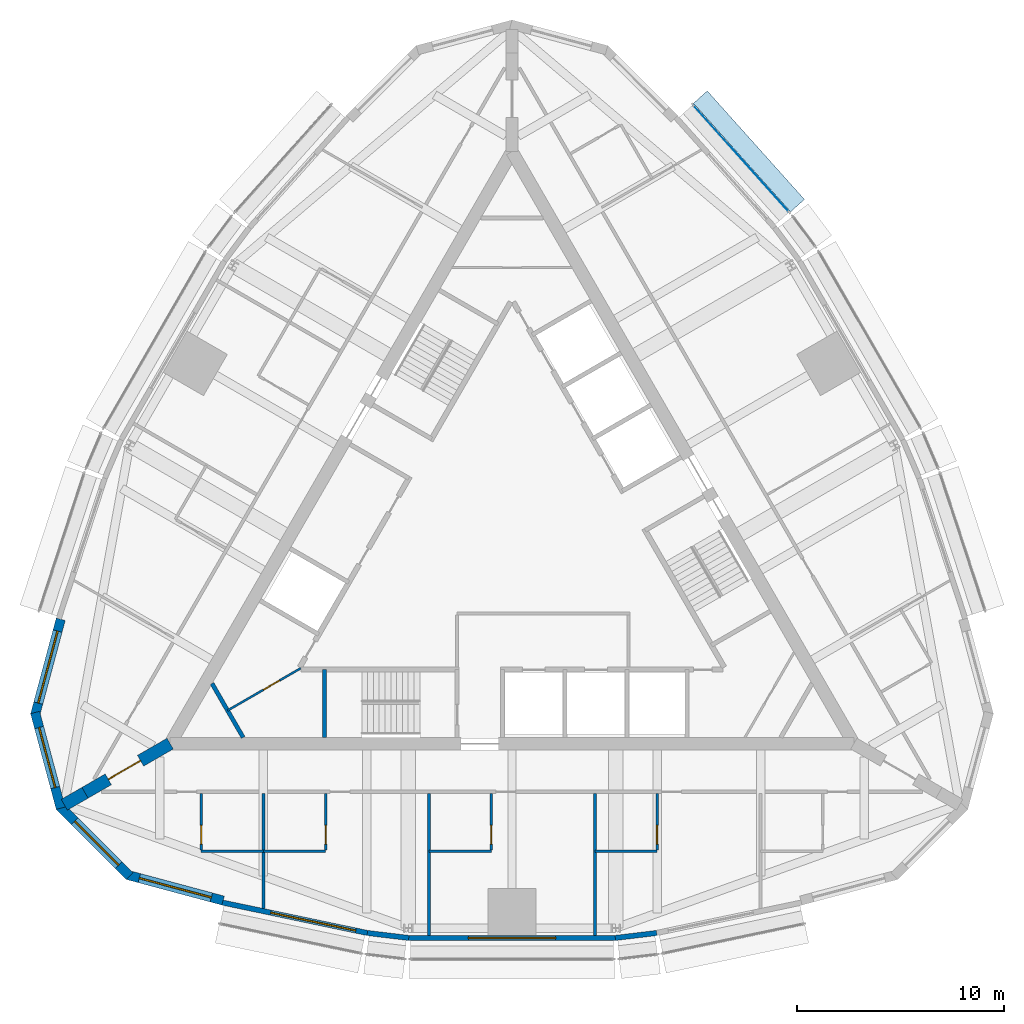
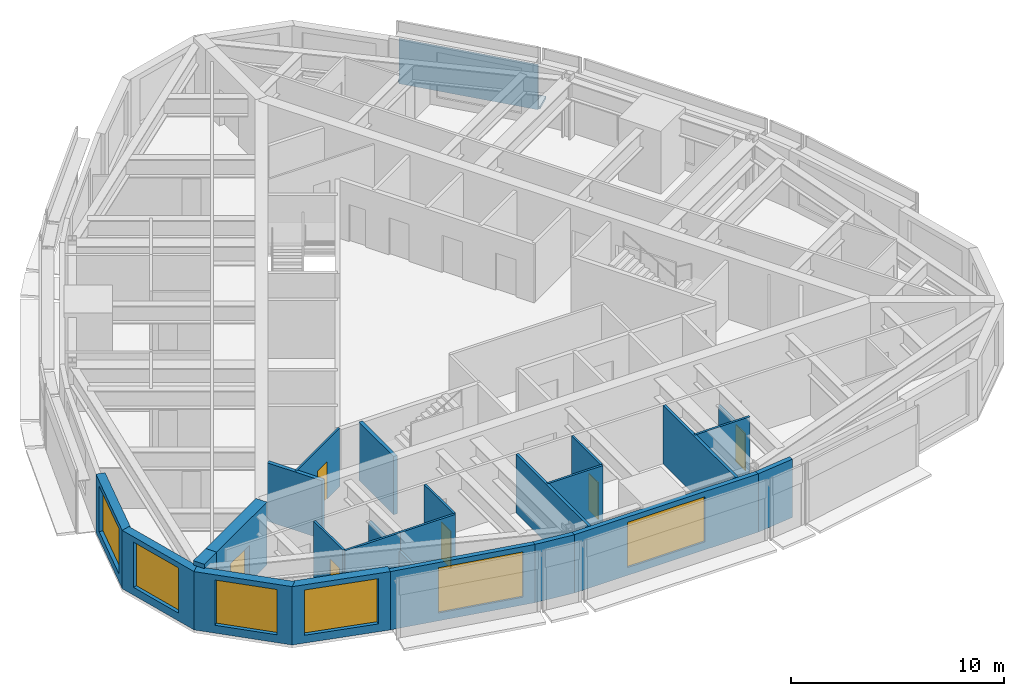
# One storey, part 7 of 12: 24 walls, 6 doors, 6 windows, 2 plates, 12 openings, 1 element without a shape of its own.
"""IFC4 building model written with IfcOpenShell, lengths in metres."""

from ifc_helpers import new_model, si_unit, direction, frame, frame_2d, origin, origin_2d, place, context, subcontext, project, spatial, polyline, rectangle, outline, extrude, material, layer, layer_set, type_object, element, fill, aggregate, save


model = new_model("IFC4")

# Units and contexts
model_context = context("Model", 3, precision=1e-05, world=origin(), true_north=direction((0.0, 1.0)))
body_context = subcontext(model_context, "Body", "Model", "MODEL_VIEW")
ifc_project = project(units=[si_unit("LENGTHUNIT", "METRE"), si_unit("AREAUNIT", "SQUARE_METRE"), si_unit("VOLUMEUNIT", "CUBIC_METRE"), si_unit("PLANEANGLEUNIT", "RADIAN"), si_unit("MASSUNIT", "GRAM", prefix="KILO")], contexts=[model_context])

# Site, building, storey
site_placement = place(None, origin())
site = spatial("IfcSite", under=ifc_project, at=site_placement, CompositionType="ELEMENT")
building_placement = place(site_placement, origin())
building = spatial("IfcBuilding", under=site, at=building_placement, Name="Trikona Tower", CompositionType="ELEMENT")
storey_placement = place(building_placement, frame((0.0, 0.0, 271.699951171875)))
storey = spatial("IfcBuildingStorey", under=building, at=storey_placement, Name="L72", CompositionType="ELEMENT", Elevation=271.699951171875)

# Curtain wall, plate
ifc_material_1 = material(Name="Aluminium curtain wall system", Category="aluminium")
curtain_wall_type = type_object("IfcCurtainWallType", Name="Curtain wall DS3S", PredefinedType="NOTDEFINED", material=ifc_material_1)
curtain_wall_placement = place(storey_placement, origin())
curtain_wall = element("IfcCurtainWall", 1, at=curtain_wall_placement, inside=storey, type_object=curtain_wall_type, Name="Curtain wall DS3S L72", PredefinedType="NOTDEFINED")
ifc_material_2 = material(Name="Laminated clear glass", Category="glass")
ifc_layer_1 = layer(ifc_material_2, 0.028076171875)
ifc_layer_set_1 = layer_set([ifc_layer_1], Name="Glass panel DS3S")
plate_type_1 = type_object("IfcPlateType", Name="Glass panel DS3S", PredefinedType="CURTAIN_PANEL", material=ifc_layer_set_1)
plate_1_placement = place(storey_placement, frame((11.056884765625, 18.7216796875, 0.0), z_axis=(0.0, 0.0, 1.0), x_axis=(-0.667319643748, 0.744771436797, 0.0)))
plate_1 = element("IfcPlate", 2, at=plate_1_placement, type_object=plate_type_1, Name="CW-DS3S panel 1.1", PredefinedType="CURTAIN_PANEL", context=body_context, shape_type="SweptSolid", body=[
    extrude(rectangle(XDim=6.892822265625, YDim=0.028076171875, at=origin_2d()), origin(), (0.0, 0.0, 1.0), 2.60009765625),
])
aggregate(curtain_wall, [plate_1])

# Plate
ifc_material_3 = material(Name="Aluminium plate fin, pale anodised, on stainless steel outriggers", Category="steel")
ifc_layer_2 = layer(ifc_material_3, 0.14990234375)
ifc_layer_set_2 = layer_set([ifc_layer_2], Name="Outer skin fin 900")
plate_type_2 = type_object("IfcPlateType", Name="Outer skin fin 900", PredefinedType="USERDEFINED", material=ifc_layer_set_2)
plate_2_placement = place(storey_placement, frame((11.436767578125, 19.06201171875, 0.0), z_axis=(0.0, 0.0, 1.0), x_axis=(-0.667311465398, 0.744778764566, 0.0)))
element("IfcPlate", 3, at=plate_2_placement, inside=storey, type_object=plate_type_2, Name="Outer skin fin L72-13", ObjectType="FIN", PredefinedType="USERDEFINED", context=body_context, shape_type="SweptSolid", body=[
    extrude(rectangle(XDim=7.03271484375, YDim=0.89990234375, at=origin_2d()), origin(), (0.0, 0.0, 1.0), 0.14990234375),
])

# Wall
ifc_material_4 = material(Name="Metal stud and cement board", Category="gypsum")
ifc_layer_3 = layer(ifc_material_4, 0.1201171875)
ifc_layer_set_3 = layer_set([ifc_layer_3], Name="Bathroom wall 120")
wall_type_1 = type_object("IfcWallType", Name="Bathroom wall 120", PredefinedType="PLUMBINGWALL", material=ifc_layer_set_3)
wall_1_placement = place(storey_placement, frame((-15.0, -14.726318359375, 0.0), z_axis=(0.0, 0.0, 1.0), x_axis=(1.0, 0.0, 0.0)))
element("IfcWall", 4, at=wall_1_placement, inside=storey, type_object=wall_type_1, Name="Bathroom wall 7201", PredefinedType="PLUMBINGWALL", context=body_context, shape_type="SweptSolid", body=[
    extrude(rectangle(XDim=3.0, YDim=0.1201171875, at=frame_2d((1.5, 0.0))), origin(), (0.0, 0.0, 1.0), 3.35009765625),
])

# Wall, opening, door
wall_2_placement = place(storey_placement, frame((-15.0, -11.92626953125, 0.0), z_axis=(0.0, 0.0, 1.0), x_axis=(0.0, -1.0, 0.0)))
wall_2 = element("IfcWall", 5, at=wall_2_placement, inside=storey, type_object=wall_type_1, Name="Bathroom wall 7201", PredefinedType="PLUMBINGWALL", context=body_context, shape_type="SweptSolid", body=[
    extrude(rectangle(XDim=2.739990234375, YDim=0.1201171875, at=frame_2d((1.3701171875, 0.0))), origin(), (0.0, 0.0, 1.0), 3.35009765625),
])
opening_1_placement = place(wall_2_placement, frame((1.550048828125, 0.0, 0.0)))
opening_1 = element("IfcOpeningElement", 6, at=opening_1_placement, cuts=wall_2, Name="Opening D2", PredefinedType="OPENING", context=body_context, shape_type="SweptSolid", body=[
    extrude(rectangle(XDim=0.89990234375, YDim=2.1298828125, at=frame_2d((0.449951171875, 1.06494140625))), frame((0.0, 0.070068359375, 0.0), z_axis=(0.0, -1.0, 0.0), x_axis=(1.0, 0.0, 0.0)), (0.0, 0.0, 1.0), 0.14013671875),
])
ifc_material_5 = material(Name="Steel door frame with solid-core timber leaf", Category="steel")
door_type_1 = type_object("IfcDoorType", Name="Bathroom door 900x2130", OperationType="SLIDING_TO_LEFT", PredefinedType="DOOR", material=ifc_material_5)
door_1_placement = place(opening_1_placement, origin())
door_1 = element("IfcDoor", 7, at=door_1_placement, inside=storey, type_object=door_type_1, Name="Bathroom door 7201", OperationType="SLIDING_TO_LEFT", OverallHeight=2.1298828125, OverallWidth=0.89990234375, PredefinedType="DOOR", context=body_context, shape_type="SweptSolid", body=[
    extrude(rectangle(XDim=0.89990234375, YDim=2.1298828125, at=frame_2d((0.449951171875, 1.06494140625))), frame((0.0, 0.02490234375, 0.0), z_axis=(0.0, -1.0, 0.0), x_axis=(1.0, 0.0, 0.0)), (0.0, 0.0, 1.0), 0.050048828125),
])
fill(opening_1, door_1)

# Wall
wall_3_placement = place(storey_placement, frame((-12.0, -14.726318359375, 0.0), z_axis=(0.0, 0.0, 1.0), x_axis=(1.0, 0.0, 0.0)))
element("IfcWall", 8, at=wall_3_placement, inside=storey, type_object=wall_type_1, Name="Bathroom wall 7202", PredefinedType="PLUMBINGWALL", context=body_context, shape_type="SweptSolid", body=[
    extrude(rectangle(XDim=3.0, YDim=0.1201171875, at=frame_2d((1.5, 0.0))), origin(), (0.0, 0.0, 1.0), 3.35009765625),
])

# Wall, opening, door
wall_4_placement = place(storey_placement, frame((-9.0, -11.92626953125, 0.0), z_axis=(0.0, 0.0, 1.0), x_axis=(0.0, -1.0, 0.0)))
wall_4 = element("IfcWall", 9, at=wall_4_placement, inside=storey, type_object=wall_type_1, Name="Bathroom wall 7202", PredefinedType="PLUMBINGWALL", context=body_context, shape_type="SweptSolid", body=[
    extrude(rectangle(XDim=2.739990234375, YDim=0.1201171875, at=frame_2d((1.3701171875, 0.0))), origin(), (0.0, 0.0, 1.0), 3.35009765625),
])
opening_2_placement = place(wall_4_placement, frame((1.550048828125, 0.0, 0.0)))
opening_2 = element("IfcOpeningElement", 10, at=opening_2_placement, cuts=wall_4, Name="Opening D2", PredefinedType="OPENING", context=body_context, shape_type="SweptSolid", body=[
    extrude(rectangle(XDim=0.89990234375, YDim=2.1298828125, at=frame_2d((0.449951171875, 1.06494140625))), frame((0.0, 0.070068359375, 0.0), z_axis=(0.0, -1.0, 0.0), x_axis=(1.0, 0.0, 0.0)), (0.0, 0.0, 1.0), 0.14013671875),
])
door_2_placement = place(opening_2_placement, origin())
door_2 = element("IfcDoor", 11, at=door_2_placement, inside=storey, type_object=door_type_1, Name="Bathroom door 7202", OperationType="SLIDING_TO_LEFT", OverallHeight=2.1298828125, OverallWidth=0.89990234375, PredefinedType="DOOR", context=body_context, shape_type="SweptSolid", body=[
    extrude(rectangle(XDim=0.89990234375, YDim=2.1298828125, at=frame_2d((0.449951171875, 1.06494140625))), frame((0.0, 0.02490234375, 0.0), z_axis=(0.0, -1.0, 0.0), x_axis=(1.0, 0.0, 0.0)), (0.0, 0.0, 1.0), 0.050048828125),
])
fill(opening_2, door_2)

# Wall
wall_5_placement = place(storey_placement, frame((-4.0, -14.726318359375, 0.0), z_axis=(0.0, 0.0, 1.0), x_axis=(1.0, 0.0, 0.0)))
element("IfcWall", 12, at=wall_5_placement, inside=storey, type_object=wall_type_1, Name="Bathroom wall 7203", PredefinedType="PLUMBINGWALL", context=body_context, shape_type="SweptSolid", body=[
    extrude(rectangle(XDim=3.0, YDim=0.1201171875, at=frame_2d((1.5, 0.0))), origin(), (0.0, 0.0, 1.0), 3.35009765625),
])

# Wall, opening, door
wall_6_placement = place(storey_placement, frame((-1.0, -11.92626953125, 0.0), z_axis=(0.0, 0.0, 1.0), x_axis=(0.0, -1.0, 0.0)))
wall_6 = element("IfcWall", 13, at=wall_6_placement, inside=storey, type_object=wall_type_1, Name="Bathroom wall 7203", PredefinedType="PLUMBINGWALL", context=body_context, shape_type="SweptSolid", body=[
    extrude(rectangle(XDim=2.739990234375, YDim=0.1201171875, at=frame_2d((1.3701171875, 0.0))), origin(), (0.0, 0.0, 1.0), 3.35009765625),
])
opening_3_placement = place(wall_6_placement, frame((1.550048828125, 0.0, 0.0)))
opening_3 = element("IfcOpeningElement", 14, at=opening_3_placement, cuts=wall_6, Name="Opening D2", PredefinedType="OPENING", context=body_context, shape_type="SweptSolid", body=[
    extrude(rectangle(XDim=0.89990234375, YDim=2.1298828125, at=frame_2d((0.449951171875, 1.06494140625))), frame((0.0, 0.070068359375, 0.0), z_axis=(0.0, -1.0, 0.0), x_axis=(1.0, 0.0, 0.0)), (0.0, 0.0, 1.0), 0.14013671875),
])
door_3_placement = place(opening_3_placement, origin())
door_3 = element("IfcDoor", 15, at=door_3_placement, inside=storey, type_object=door_type_1, Name="Bathroom door 7203", OperationType="SLIDING_TO_LEFT", OverallHeight=2.1298828125, OverallWidth=0.89990234375, PredefinedType="DOOR", context=body_context, shape_type="SweptSolid", body=[
    extrude(rectangle(XDim=0.89990234375, YDim=2.1298828125, at=frame_2d((0.449951171875, 1.06494140625))), frame((0.0, 0.02490234375, 0.0), z_axis=(0.0, -1.0, 0.0), x_axis=(1.0, 0.0, 0.0)), (0.0, 0.0, 1.0), 0.050048828125),
])
fill(opening_3, door_3)

# Wall
wall_7_placement = place(storey_placement, frame((4.0, -14.726318359375, 0.0), z_axis=(0.0, 0.0, 1.0), x_axis=(1.0, 0.0, 0.0)))
element("IfcWall", 16, at=wall_7_placement, inside=storey, type_object=wall_type_1, Name="Bathroom wall 7204", PredefinedType="PLUMBINGWALL", context=body_context, shape_type="SweptSolid", body=[
    extrude(rectangle(XDim=3.0, YDim=0.1201171875, at=frame_2d((1.5, 0.0))), origin(), (0.0, 0.0, 1.0), 3.35009765625),
])

# Wall, opening, door
wall_8_placement = place(storey_placement, frame((7.0, -11.92626953125, 0.0), z_axis=(0.0, 0.0, 1.0), x_axis=(0.0, -1.0, 0.0)))
wall_8 = element("IfcWall", 17, at=wall_8_placement, inside=storey, type_object=wall_type_1, Name="Bathroom wall 7204", PredefinedType="PLUMBINGWALL", context=body_context, shape_type="SweptSolid", body=[
    extrude(rectangle(XDim=2.739990234375, YDim=0.1201171875, at=frame_2d((1.3701171875, 0.0))), origin(), (0.0, 0.0, 1.0), 2.30859375),
])
opening_4_placement = place(wall_8_placement, frame((1.550048828125, 0.0, 0.0)))
opening_4 = element("IfcOpeningElement", 18, at=opening_4_placement, cuts=wall_8, Name="Opening D2", PredefinedType="OPENING", context=body_context, shape_type="SweptSolid", body=[
    extrude(rectangle(XDim=0.89990234375, YDim=2.1298828125, at=frame_2d((0.449951171875, 1.06494140625))), frame((0.0, 0.070068359375, 0.0), z_axis=(0.0, -1.0, 0.0), x_axis=(1.0, 0.0, 0.0)), (0.0, 0.0, 1.0), 0.14013671875),
])
door_4_placement = place(opening_4_placement, origin())
door_4 = element("IfcDoor", 19, at=door_4_placement, inside=storey, type_object=door_type_1, Name="Bathroom door 7204", OperationType="SLIDING_TO_LEFT", OverallHeight=2.1298828125, OverallWidth=0.89990234375, PredefinedType="DOOR", context=body_context, shape_type="SweptSolid", body=[
    extrude(rectangle(XDim=0.89990234375, YDim=2.1298828125, at=frame_2d((0.449951171875, 1.06494140625))), frame((0.0, 0.02490234375, 0.0), z_axis=(0.0, -1.0, 0.0), x_axis=(1.0, 0.0, 0.0)), (0.0, 0.0, 1.0), 0.050048828125),
])
fill(opening_4, door_4)

# Wall, opening, window
ifc_material_6 = material(Name="Brick-faced precast concrete", Category="masonry")
ifc_layer_4 = layer(ifc_material_6, 0.449951171875)
ifc_layer_set_4 = layer_set([ifc_layer_4], Name="Brick-faced corner wall 450")
wall_type_2 = type_object("IfcWallType", Name="Brick-faced corner wall 450", PredefinedType="SOLIDWALL", material=ifc_layer_set_4)
wall_9_placement = place(storey_placement, frame((-21.78271484375, -3.522216796875, 0.0), z_axis=(0.0, 0.0, 1.0), x_axis=(-0.25880328844, -0.965930048136, 0.0)))
wall_9 = element("IfcWall", 20, at=wall_9_placement, inside=storey, type_object=wall_type_2, Name="External wall L72-23", PredefinedType="SOLIDWALL", context=body_context, shape_type="SweptSolid", body=[
    extrude(rectangle(XDim=4.78173828125, YDim=0.449951171875, at=frame_2d((2.390869140625, 0.0))), origin(), (0.0, 0.0, 1.0), 3.35009765625),
])
opening_5_placement = place(wall_9_placement, frame((0.5908203125, 0.0, 0.449951171875)))
opening_5 = element("IfcOpeningElement", 21, at=opening_5_placement, cuts=wall_9, Name="Opening W3626", PredefinedType="OPENING", context=body_context, shape_type="SweptSolid", body=[
    extrude(rectangle(XDim=3.60009765625, YDim=2.60009765625, at=frame_2d((1.800048828125, 1.300048828125))), frame((0.0, 0.23486328125, 0.0), z_axis=(0.0, -1.0, 0.0), x_axis=(1.0, 0.0, 0.0)), (0.0, 0.0, 1.0), 0.469970703125),
])
ifc_material_7 = material(Name="Aluminium-framed double glazing", Category="aluminium")
window_type_1 = type_object("IfcWindowType", Name="Window 3600x2600", PartitioningType="SINGLE_PANEL", PredefinedType="WINDOW", material=ifc_material_7)
window_1_placement = place(opening_5_placement, origin())
window_1 = element("IfcWindow", 22, at=window_1_placement, inside=storey, type_object=window_type_1, Name="Window 7209", OverallHeight=2.60009765625, OverallWidth=3.60009765625, PartitioningType="SINGLE_PANEL", PredefinedType="WINDOW", context=body_context, shape_type="SweptSolid", body=[
    extrude(rectangle(XDim=3.60009765625, YDim=2.60009765625, at=frame_2d((1.800048828125, 1.300048828125))), frame((0.0, 0.030029296875, 0.0), z_axis=(0.0, -1.0, 0.0), x_axis=(1.0, 0.0, 0.0)), (0.0, 0.0, 1.0), 0.06005859375),
])
fill(opening_5, window_1)

wall_10_placement = place(storey_placement, frame((-23.020263671875, -8.024658203125, 0.0), z_axis=(0.0, 0.0, 1.0), x_axis=(0.25880328844, -0.965930048136, 0.0)))
wall_10 = element("IfcWall", 23, at=wall_10_placement, inside=storey, type_object=wall_type_2, Name="External wall L72-24", PredefinedType="SOLIDWALL", context=body_context, shape_type="SweptSolid", body=[
    extrude(outline(polyline([(4.78173828125, 0.22509765625), (4.72216796875, 0.22509765625), (4.37548828125, 0.132080078125), (4.3505859375, 0.22509765625), (0.0, 0.22509765625), (0.0, -0.22509765625), (4.78173828125, -0.22509765625), (4.78173828125, 0.22509765625)])), origin(), (0.0, 0.0, 1.0), 3.35009765625),
])
opening_6_placement = place(wall_10_placement, frame((0.750244140625, 0.0, 0.449951171875)))
opening_6 = element("IfcOpeningElement", 24, at=opening_6_placement, cuts=wall_10, Name="Opening W3026", PredefinedType="OPENING", context=body_context, shape_type="SweptSolid", body=[
    extrude(rectangle(XDim=3.0, YDim=2.60009765625, at=frame_2d((1.5, 1.300048828125))), frame((0.0, 0.23486328125, 0.0), z_axis=(0.0, -1.0, 0.0), x_axis=(1.0, 0.0, 0.0)), (0.0, 0.0, 1.0), 0.469970703125),
])
ifc_material_8 = material(Name="Aluminium-framed double glazing", Category="aluminium")
window_type_2 = type_object("IfcWindowType", Name="Window 3000x2600", PartitioningType="SINGLE_PANEL", PredefinedType="WINDOW", material=ifc_material_8)
window_2_placement = place(opening_6_placement, origin())
window_2 = element("IfcWindow", 25, at=window_2_placement, inside=storey, type_object=window_type_2, Name="Window 7209", OverallHeight=2.60009765625, OverallWidth=3.0, PartitioningType="SINGLE_PANEL", PredefinedType="WINDOW", context=body_context, shape_type="SweptSolid", body=[
    extrude(rectangle(XDim=3.0, YDim=2.60009765625, at=frame_2d((1.5, 1.300048828125))), frame((0.0, 0.030029296875, 0.0), z_axis=(0.0, -1.0, 0.0), x_axis=(1.0, 0.0, 0.0)), (0.0, 0.0, 1.0), 0.06005859375),
])
fill(opening_6, window_2)

wall_11_placement = place(storey_placement, frame((-21.8408203125, -12.54248046875, 0.0), z_axis=(0.0, 0.0, 1.0), x_axis=(0.707081252484, -0.707132308968, 0.0)))
wall_11 = element("IfcWall", 26, at=wall_11_placement, inside=storey, type_object=wall_type_2, Name="External wall L72-25", PredefinedType="SOLIDWALL", context=body_context, shape_type="SweptSolid", body=[
    extrude(outline(polyline([(4.78173828125, 0.22509765625), (0.43115234375, 0.22509765625), (0.40625, 0.1318359375), (0.058837890625, 0.22509765625), (0.0, 0.22509765625), (0.0, -0.22509765625), (4.78173828125, -0.22509765625), (4.78173828125, 0.22509765625)])), origin(), (0.0, 0.0, 1.0), 3.35009765625),
])
opening_7_placement = place(wall_11_placement, frame((1.031494140625, 0.0, 0.449951171875)))
opening_7 = element("IfcOpeningElement", 27, at=opening_7_placement, cuts=wall_11, Name="Opening W3026", PredefinedType="OPENING", context=body_context, shape_type="SweptSolid", body=[
    extrude(rectangle(XDim=3.0, YDim=2.60009765625, at=frame_2d((1.5, 1.300048828125))), frame((0.0, 0.23486328125, 0.0), z_axis=(0.0, -1.0, 0.0), x_axis=(1.0, 0.0, 0.0)), (0.0, 0.0, 1.0), 0.469970703125),
])
window_3_placement = place(opening_7_placement, origin())
window_3 = element("IfcWindow", 28, at=window_3_placement, inside=storey, type_object=window_type_2, Name="Window 7201", OverallHeight=2.60009765625, OverallWidth=3.0, PartitioningType="SINGLE_PANEL", PredefinedType="WINDOW", context=body_context, shape_type="SweptSolid", body=[
    extrude(rectangle(XDim=3.0, YDim=2.60009765625, at=frame_2d((1.5, 1.300048828125))), frame((0.0, 0.030029296875, 0.0), z_axis=(0.0, -1.0, 0.0), x_axis=(1.0, 0.0, 0.0)), (0.0, 0.0, 1.0), 0.06005859375),
])
fill(opening_7, window_3)

wall_12_placement = place(storey_placement, frame((-18.560546875, -15.865478515625, 0.0), z_axis=(0.0, 0.0, 1.0), x_axis=(0.965913862671, -0.258863689806, 0.0)))
wall_12 = element("IfcWall", 29, at=wall_12_placement, inside=storey, type_object=wall_type_2, Name="External wall L72-26", PredefinedType="SOLIDWALL", context=body_context, shape_type="SweptSolid", body=[
    extrude(rectangle(XDim=4.78173828125, YDim=0.449951171875, at=frame_2d((2.390869140625, 0.0))), origin(), (0.0, 0.0, 1.0), 3.35009765625),
])
opening_8_placement = place(wall_12_placement, frame((0.5908203125, 0.0, 0.449951171875)))
opening_8 = element("IfcOpeningElement", 30, at=opening_8_placement, cuts=wall_12, Name="Opening W3626", PredefinedType="OPENING", context=body_context, shape_type="SweptSolid", body=[
    extrude(rectangle(XDim=3.60009765625, YDim=2.60009765625, at=frame_2d((1.800048828125, 1.300048828125))), frame((0.0, 0.23486328125, 0.0), z_axis=(0.0, -1.0, 0.0), x_axis=(1.0, 0.0, 0.0)), (0.0, 0.0, 1.0), 0.469970703125),
])
window_4_placement = place(opening_8_placement, origin())
window_4 = element("IfcWindow", 31, at=window_4_placement, inside=storey, type_object=window_type_1, Name="Window 7201", OverallHeight=2.60009765625, OverallWidth=3.60009765625, PartitioningType="SINGLE_PANEL", PredefinedType="WINDOW", context=body_context, shape_type="SweptSolid", body=[
    extrude(rectangle(XDim=3.60009765625, YDim=2.60009765625, at=frame_2d((1.800048828125, 1.300048828125))), frame((0.0, 0.030029296875, 0.0), z_axis=(0.0, -1.0, 0.0), x_axis=(1.0, 0.0, 0.0)), (0.0, 0.0, 1.0), 0.06005859375),
])
fill(opening_8, window_4)

# Wall, opening, door
ifc_material_9 = material(Name="Concrete f'c 10000 psi", Category="concrete")
ifc_layer_5 = layer(ifc_material_9, 0.60009765625)
ifc_layer_set_5 = layer_set([ifc_layer_5], Name="Buttress wall 600")
wall_type_3 = type_object("IfcWallType", Name="Buttress wall 600", PredefinedType="SHEAR", material=ifc_layer_set_5)
wall_13_placement = place(storey_placement, frame((-16.5, -9.5263671875, 0.0), z_axis=(0.0, 0.0, 1.0), x_axis=(-0.866031398331, -0.499989616998, 0.0)))
wall_13 = element("IfcWall", 32, at=wall_13_placement, inside=storey, type_object=wall_type_3, Name="Buttress wall 3", PredefinedType="SHEAR", context=body_context, shape_type="SweptSolid", body=[
    extrude(rectangle(XDim=4.74609375, YDim=0.60009765625, at=frame_2d((2.373046875, 0.0))), origin(), (0.0, 0.0, 1.0), 3.60009765625),
])
opening_9_placement = place(wall_13_placement, frame((1.64990234375, 0.0, 0.0)))
opening_9 = element("IfcOpeningElement", 33, at=opening_9_placement, cuts=wall_13, Name="Opening D10", PredefinedType="OPENING", context=body_context, shape_type="SweptSolid", body=[
    extrude(rectangle(XDim=1.800048828125, YDim=2.1298828125, at=frame_2d((0.89990234375, 1.06494140625))), frame((0.0, 0.31005859375, 0.0), z_axis=(0.0, -1.0, 0.0), x_axis=(1.0, 0.0, 0.0)), (0.0, 0.0, 1.0), 0.6201171875),
])
ifc_material_10 = material(Name="Hollow metal door and frame", Category="steel")
door_type_2 = type_object("IfcDoorType", Name="Cross-corridor door pair 1800x2130", OperationType="DOUBLE_DOOR_DOUBLE_SWING", PredefinedType="DOOR", material=ifc_material_10)
door_5_placement = place(opening_9_placement, origin())
door_5 = element("IfcDoor", 34, at=door_5_placement, inside=storey, type_object=door_type_2, Name="Cross-corridor door 3", OperationType="DOUBLE_DOOR_DOUBLE_SWING", OverallHeight=2.1298828125, OverallWidth=1.800048828125, PredefinedType="DOOR", context=body_context, shape_type="SweptSolid", body=[
    extrude(rectangle(XDim=1.800048828125, YDim=2.1298828125, at=frame_2d((0.89990234375, 1.06494140625))), frame((0.0, 0.02490234375, 0.0), z_axis=(0.0, -1.0, 0.0), x_axis=(1.0, 0.0, 0.0)), (0.0, 0.0, 1.0), 0.050048828125),
])
fill(opening_9, door_5)

# Wall
wall_14_placement = place(storey_placement, frame((-20.6103515625, -11.8994140625, 0.0), z_axis=(0.0, 0.0, 1.0), x_axis=(-0.866009537788, -0.500027479704, 0.0)))
element("IfcWall", 35, at=wall_14_placement, inside=storey, type_object=wall_type_3, Name="Buttress wall 3 part 2", PredefinedType="SHEAR", context=body_context, shape_type="SweptSolid", body=[
    extrude(rectangle(XDim=1.15478515625, YDim=0.60009765625, at=frame_2d((0.577392578125, 0.0))), origin(), (0.0, 0.0, 1.0), 3.60009765625),
])

# Wall, opening, window
ifc_material_11 = material(Name="Insulated precast concrete spandrel panel", Category="concrete")
ifc_layer_6 = layer(ifc_material_11, 0.25)
ifc_layer_set_6 = layer_set([ifc_layer_6], Name="Inner skin wall 250")
wall_type_4 = type_object("IfcWallType", Name="Inner skin wall 250", PredefinedType="STANDARD", material=ifc_layer_set_6)
wall_15_placement = place(storey_placement, frame((-13.974365234375, -17.1982421875, 0.0), z_axis=(0.0, 0.0, 1.0), x_axis=(0.978654320409, -0.205513311355, 0.0)))
wall_15 = element("IfcWall", 36, at=wall_15_placement, inside=storey, type_object=wall_type_4, Name="External wall L72-00", PredefinedType="STANDARD", context=body_context, shape_type="SweptSolid", body=[
    extrude(rectangle(XDim=7.152587890625, YDim=0.25, at=frame_2d((3.576171875, 0.0))), origin(), (0.0, 0.0, 1.0), 3.35009765625),
])
opening_10_placement = place(wall_15_placement, frame((2.3759765625, 0.0, 0.449951171875)))
opening_10 = element("IfcOpeningElement", 37, at=opening_10_placement, cuts=wall_15, Name="Opening W4226", PredefinedType="OPENING", context=body_context, shape_type="SweptSolid", body=[
    extrude(rectangle(XDim=4.199951171875, YDim=2.60009765625, at=frame_2d((2.10009765625, 1.300048828125))), frame((0.0, 0.135009765625, 0.0), z_axis=(0.0, -1.0, 0.0), x_axis=(1.0, 0.0, 0.0)), (0.0, 0.0, 1.0), 0.27001953125),
])
ifc_material_12 = material(Name="Aluminium-framed double glazing", Category="aluminium")
window_type_3 = type_object("IfcWindowType", Name="Window 4200x2600", PartitioningType="SINGLE_PANEL", PredefinedType="WINDOW", material=ifc_material_12)
window_5_placement = place(opening_10_placement, origin())
window_5 = element("IfcWindow", 38, at=window_5_placement, inside=storey, type_object=window_type_3, Name="Window 7202", OverallHeight=2.60009765625, OverallWidth=4.199951171875, PartitioningType="SINGLE_PANEL", PredefinedType="WINDOW", context=body_context, shape_type="SweptSolid", body=[
    extrude(rectangle(XDim=4.199951171875, YDim=2.60009765625, at=frame_2d((2.10009765625, 1.300048828125))), frame((0.0, 0.030029296875, 0.0), z_axis=(0.0, -1.0, 0.0), x_axis=(1.0, 0.0, 0.0)), (0.0, 0.0, 1.0), 0.06005859375),
])
fill(opening_10, window_5)

# Wall
wall_16_placement = place(storey_placement, frame((-6.985107421875, -18.66650390625, 0.0), z_axis=(0.0, 0.0, 1.0), x_axis=(0.992877411981, -0.119140441403, 0.0)))
element("IfcWall", 39, at=wall_16_placement, inside=storey, type_object=wall_type_4, Name="External wall L72-01", PredefinedType="STANDARD", context=body_context, shape_type="SweptSolid", body=[
    extrude(rectangle(XDim=2.014404296875, YDim=0.25, at=frame_2d((1.00732421875, 0.0))), origin(), (0.0, 0.0, 1.0), 3.35009765625),
])

# Wall, opening, window
wall_17_placement = place(storey_placement, frame((-5.0, -18.905517578125, 0.0), z_axis=(0.0, 0.0, 1.0), x_axis=(1.0, 0.0, 0.0)))
wall_17 = element("IfcWall", 40, at=wall_17_placement, inside=storey, type_object=wall_type_4, Name="External wall L72-02", PredefinedType="STANDARD", context=body_context, shape_type="SweptSolid", body=[
    extrude(rectangle(XDim=10.0, YDim=0.25, at=frame_2d((5.0, 0.0))), origin(), (0.0, 0.0, 1.0), 3.35009765625),
])
opening_11_placement = place(wall_17_placement, frame((2.89990234375, 0.0, 0.449951171875)))
opening_11 = element("IfcOpeningElement", 41, at=opening_11_placement, cuts=wall_17, Name="Opening W4226", PredefinedType="OPENING", context=body_context, shape_type="SweptSolid", body=[
    extrude(rectangle(XDim=4.199951171875, YDim=2.60009765625, at=frame_2d((2.10009765625, 1.300048828125))), frame((0.0, 0.135009765625, 0.0), z_axis=(0.0, -1.0, 0.0), x_axis=(1.0, 0.0, 0.0)), (0.0, 0.0, 1.0), 0.27001953125),
])
window_6_placement = place(opening_11_placement, origin())
window_6 = element("IfcWindow", 42, at=window_6_placement, inside=storey, type_object=window_type_3, Name="Window 7203", OverallHeight=2.60009765625, OverallWidth=4.199951171875, PartitioningType="SINGLE_PANEL", PredefinedType="WINDOW", context=body_context, shape_type="SweptSolid", body=[
    extrude(rectangle(XDim=4.199951171875, YDim=2.60009765625, at=frame_2d((2.10009765625, 1.300048828125))), frame((0.0, 0.030029296875, 0.0), z_axis=(0.0, -1.0, 0.0), x_axis=(1.0, 0.0, 0.0)), (0.0, 0.0, 1.0), 0.06005859375),
])
fill(opening_11, window_6)

# Walls
wall_18_placement = place(storey_placement, frame((4.985107421875, -18.906494140625, 0.0), z_axis=(0.0, 0.0, 1.0), x_axis=(0.992877411981, 0.119140441403, 0.0)))
element("IfcWall", 43, at=wall_18_placement, inside=storey, type_object=wall_type_4, Name="External wall L72-03", PredefinedType="STANDARD", context=body_context, shape_type="SweptSolid", body=[
    extrude(rectangle(XDim=2.014404296875, YDim=0.25, at=frame_2d((1.00732421875, 0.0))), origin(), (0.0, 0.0, 1.0), 3.35009765625),
])
ifc_material_13 = material(Name="Metal stud and gypsum board, 1-hour acoustic", Category="gypsum")
ifc_layer_7 = layer(ifc_material_13, 0.14990234375)
ifc_layer_set_7 = layer_set([ifc_layer_7], Name="Party wall 150")
wall_type_5 = type_object("IfcWallType", Name="Party wall 150", PredefinedType="PARTITIONING", material=ifc_layer_set_7)
wall_19_placement = place(storey_placement, frame((-12.0, -11.92626953125, 0.0), z_axis=(0.0, 0.0, 1.0), x_axis=(0.0, -1.0, 0.0)))
element("IfcWall", 44, at=wall_19_placement, inside=storey, type_object=wall_type_5, Name="Partition L72 F1 u-12", PredefinedType="PARTITIONING", context=body_context, shape_type="SweptSolid", body=[
    extrude(rectangle(XDim=5.558837890625, YDim=0.14990234375, at=frame_2d((2.779296875, 0.0))), origin(), (0.0, 0.0, 1.0), 2.301025390625),
])
for number, where, z_axis, x_axis, name in (
    (45, (-4.0, -11.92626953125, 0.0), (0.0, 0.0, 1.0), (0.0, -1.0, 0.0), "Partition L72 F1 u-4"),
    (46, (4.0, -11.92626953125, 0.0), (0.0, 0.0, 1.0), (0.0, -1.0, 0.0), "Partition L72 F1 u4"),
):
    element("IfcWall", number, at=place(storey_placement, frame(where, z_axis=z_axis, x_axis=x_axis)), inside=storey, type_object=wall_type_5, Name=name, PredefinedType="PARTITIONING", context=body_context, shape_type="SweptSolid", body=[
        extrude(rectangle(XDim=6.854248046875, YDim=0.14990234375, at=frame_2d((3.42724609375, 0.0))), origin(), (0.0, 0.0, 1.0), 3.35009765625),
    ])
ifc_material_14 = material(Name="Concrete f'c 8000 psi", Category="concrete")
ifc_layer_8 = layer(ifc_material_14, 0.199951171875)
ifc_layer_set_8 = layer_set([ifc_layer_8], Name="Shaft wall 200")
wall_type_6 = type_object("IfcWallType", Name="Shaft wall 200", PredefinedType="SOLIDWALL", material=ifc_layer_set_8)
wall_20_placement = place(storey_placement, frame((-12.978271484375, -9.226318359375, 0.0), z_axis=(0.0, 0.0, 1.0), x_axis=(-0.499952404951, 0.866052881055, 0.0)))
element("IfcWall", 47, at=wall_20_placement, inside=storey, type_object=wall_type_6, Name="Riser wall L72-RS3", PredefinedType="SOLIDWALL", context=body_context, shape_type="SweptSolid", body=[
    extrude(rectangle(XDim=3.002197265625, YDim=0.199951171875, at=frame_2d((1.5009765625, 0.0))), origin(), (0.0, 0.0, 1.0), 3.35009765625),
])
ifc_material_15 = material(Name="Concrete f'c 8000 psi", Category="concrete")
ifc_layer_9 = layer(ifc_material_15, 0.199951171875)
ifc_layer_set_9 = layer_set([ifc_layer_9], Name="Shaft wall 200 load-bearing")
wall_type_7 = type_object("IfcWallType", Name="Shaft wall 200 load-bearing", PredefinedType="SOLIDWALL", material=ifc_layer_set_9)
wall_21_placement = place(storey_placement, frame((-9.050048828125, -5.951416015625, 0.0), z_axis=(0.0, 0.0, 1.0), x_axis=(0.0, -1.0, 0.0)))
element("IfcWall", 48, at=wall_21_placement, inside=storey, type_object=wall_type_7, Name="Shaft wall A1", PredefinedType="SOLIDWALL", context=body_context, shape_type="SweptSolid", body=[
    extrude(rectangle(XDim=3.27490234375, YDim=0.199951171875, at=frame_2d((1.637451171875, 0.0))), origin(), (0.0, 0.0, 1.0), 3.35009765625),
])

# Wall, opening, door
ifc_material_16 = material(Name="Metal stud and gypsum board, acoustic", Category="gypsum")
ifc_layer_10 = layer(ifc_material_16, 0.10009765625)
ifc_layer_set_10 = layer_set([ifc_layer_10], Name="Suite partition 100")
wall_type_8 = type_object("IfcWallType", Name="Suite partition 100", PredefinedType="PARTITIONING", material=ifc_layer_set_10)
wall_22_placement = place(storey_placement, frame((-13.728759765625, -7.92626953125, 0.0), z_axis=(0.0, 0.0, 1.0), x_axis=(0.866029956157, 0.499992114976, 0.0)))
wall_22 = element("IfcWall", 49, at=wall_22_placement, inside=storey, type_object=wall_type_8, Name="Store partition L72-RS3", PredefinedType="PARTITIONING", context=body_context, shape_type="SweptSolid", body=[
    extrude(rectangle(XDim=4.0751953125, YDim=0.10009765625, at=frame_2d((2.03759765625, 0.0))), origin(), (0.0, 0.0, 1.0), 3.35009765625),
])
opening_12_placement = place(wall_22_placement, frame((1.9951171875, 0.0, 0.0)))
opening_12 = element("IfcOpeningElement", 50, at=opening_12_placement, cuts=wall_22, Name="Opening D15", PredefinedType="OPENING", context=body_context, shape_type="SweptSolid", body=[
    extrude(rectangle(XDim=0.89990234375, YDim=2.1298828125, at=frame_2d((0.449951171875, 1.06494140625))), frame((0.0, 0.06005859375, 0.0), z_axis=(0.0, -1.0, 0.0), x_axis=(1.0, 0.0, 0.0)), (0.0, 0.0, 1.0), 0.1201171875),
])
ifc_material_17 = material(Name="Steel door frame with solid-core timber leaf", Category="steel")
door_type_3 = type_object("IfcDoorType", Name="Store door 900x2130", OperationType="SINGLE_SWING_LEFT", PredefinedType="DOOR", material=ifc_material_17)
door_6_placement = place(opening_12_placement, origin())
door_6 = element("IfcDoor", 51, at=door_6_placement, inside=storey, type_object=door_type_3, Name="Door Minibar store MBS", OperationType="SINGLE_SWING_RIGHT", OverallHeight=2.1298828125, OverallWidth=0.89990234375, PredefinedType="DOOR", context=body_context, shape_type="SweptSolid", body=[
    extrude(rectangle(XDim=0.89990234375, YDim=2.1298828125, at=frame_2d((0.449951171875, 1.06494140625))), frame((0.0, 0.02490234375, 0.0), z_axis=(0.0, -1.0, 0.0), x_axis=(1.0, 0.0, 0.0)), (0.0, 0.0, 1.0), 0.050048828125),
])
fill(opening_12, door_6)

save(model, "model.ifc")
